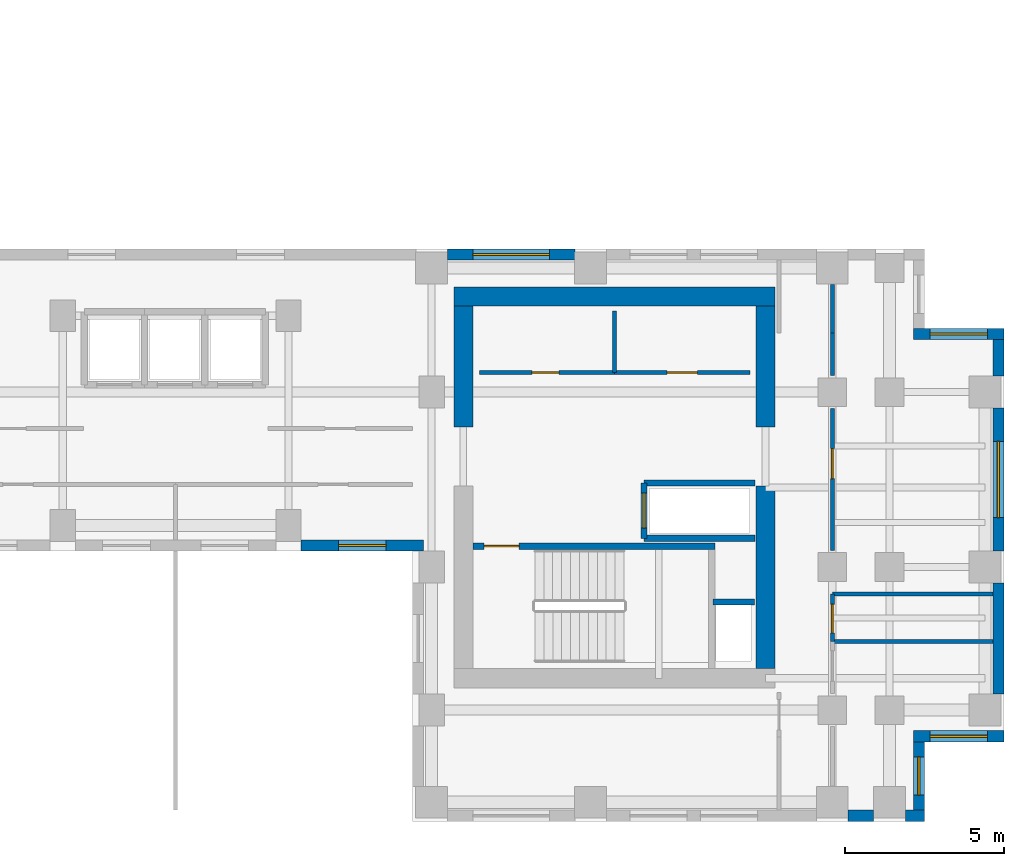
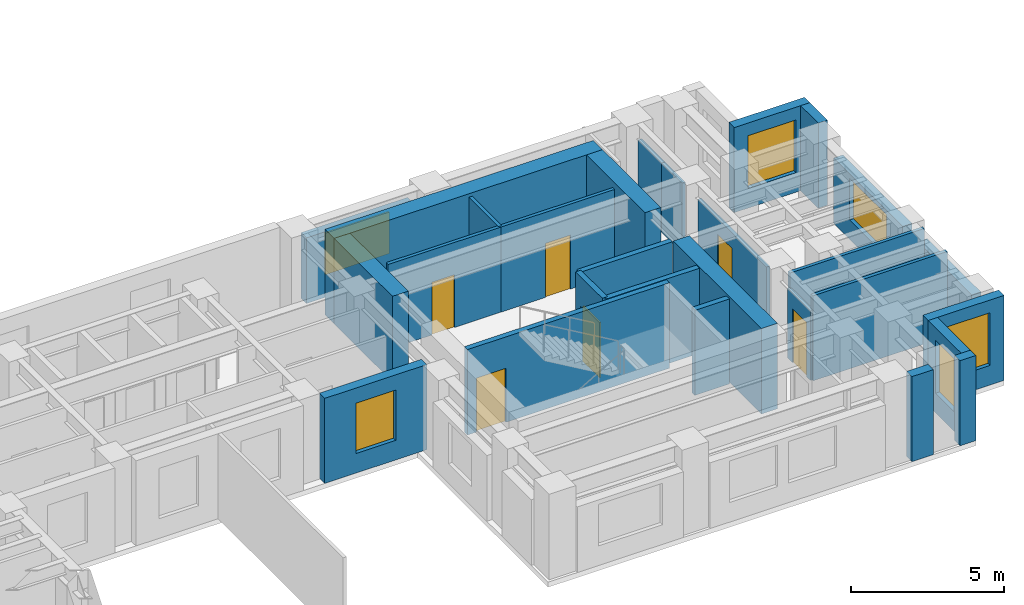
# One storey, part 8 of 11: 28 walls, 6 doors, 6 windows, 12 openings.
"""IFC4 building model written with IfcOpenShell, lengths in metres."""

from ifc_helpers import new_model, si_unit, direction, frame, frame_2d, origin, place, context, subcontext, project, spatial, rectangle, extrude, source, transform, mapped, material, layer, layer_set, type_object, element, fill, save


model = new_model("IFC4")

# Units and contexts
model_context = context("Model", 3, precision=1e-05, world=origin(), true_north=direction((0.0, 1.0)))
body_context = subcontext(model_context, "Body", "Model", "MODEL_VIEW")
ifc_project = project(units=[si_unit("LENGTHUNIT", "METRE"), si_unit("AREAUNIT", "SQUARE_METRE"), si_unit("VOLUMEUNIT", "CUBIC_METRE"), si_unit("PLANEANGLEUNIT", "RADIAN"), si_unit("MASSUNIT", "GRAM", prefix="KILO")], contexts=[model_context])

# Site, building, storey
site_placement = place(None, origin())
site = spatial("IfcSite", under=ifc_project, at=site_placement, CompositionType="ELEMENT")
building_placement = place(site_placement, origin())
building = spatial("IfcBuilding", under=site, at=building_placement, Name="Kharzan Plaza Tower", CompositionType="ELEMENT")
storey_placement = place(building_placement, frame((0.0, 0.0, 182.699951171875)))
storey = spatial("IfcBuildingStorey", under=building, at=storey_placement, Name="L49", CompositionType="ELEMENT", Elevation=182.699951171875)

# Wall, opening, window
ifc_material_1 = material(Name="Concrete C40/50", Category="concrete")
ifc_layer_1 = layer(ifc_material_1, 0.35009765625)
ifc_layer_set_1 = layer_set([ifc_layer_1], Name="Concrete C40/50")
wall_type_1 = type_object("IfcWallType", Name="WL-EXT-MAS-Z3", PredefinedType="SOLIDWALL", material=ifc_layer_set_1)
wall_1_placement = place(storey_placement, frame((30.89794921875, 8.675048828125, 0.0), z_axis=(0.0, 0.0, 1.0), x_axis=(1.0, 0.0, 0.0)))
wall_1 = element("IfcWall", 1, at=wall_1_placement, inside=storey, type_object=wall_type_1, Name="L49 Masonry-Frame Exterior Wall 28", PredefinedType="SOLIDWALL", context=body_context, shape_type="SweptSolid", body=[
    extrude(rectangle(XDim=3.85205078125, YDim=0.35009765625, at=frame_2d((1.926025390625, 0.0))), origin(), (0.0, 0.0, 1.0), 3.385009765625),
])
opening_1_placement = place(wall_1_placement, frame((1.176025390625, 0.0, 0.780029296875)))
opening_1 = element("IfcOpeningElement", 2, at=opening_1_placement, cuts=wall_1, Name="Opening W5", PredefinedType="OPENING", context=body_context, shape_type="SweptSolid", body=[
    extrude(rectangle(XDim=1.5, YDim=2.0, at=frame_2d((0.75, 1.0))), frame((0.0, 0.18505859375, 0.0), z_axis=(0.0, -1.0, 0.0), x_axis=(1.0, 0.0, 0.0)), (0.0, 0.0, 1.0), 0.3701171875),
])
ifc_material_2 = material(Name="Low-E Double Glazing", Category="glass")
window_type_1 = type_object("IfcWindowType", Name="WN-SLT-1500x2000", PartitioningType="SINGLE_PANEL", PredefinedType="WINDOW", material=ifc_material_2)
shared_shape_1 = source(origin(), body_context, "Body", "SweptSolid", [
    extrude(rectangle(XDim=1.5, YDim=2.0, at=frame_2d((0.75, 1.0))), frame((0.0, 0.030029296875, 0.0), z_axis=(0.0, -1.0, 0.0), x_axis=(1.0, 0.0, 0.0)), (0.0, 0.0, 1.0), 0.06005859375),
])
window_1_placement = place(opening_1_placement, origin())
window_1 = element("IfcWindow", 3, at=window_1_placement, inside=storey, type_object=window_type_1, Name="L49 Recessed Solar-Control Window 28-1", OverallHeight=2.0, OverallWidth=1.5, PartitioningType="SINGLE_PANEL", PredefinedType="WINDOW", context=body_context, shape_type="MappedRepresentation", body=[
    mapped(shared_shape_1, transform((0.0, 0.0, 0.0), x_axis=(1.0, 0.0, 0.0), y_axis=(0.0, 1.0, 0.0), z_axis=(0.0, 0.0, 1.0))),
])
fill(opening_1, window_1)

wall_2_placement = place(storey_placement, frame((50.324951171875, 0.347900390625, 0.0), z_axis=(0.0, 0.0, 1.0), x_axis=(0.0, 1.0, 0.0)))
wall_2 = element("IfcWall", 4, at=wall_2_placement, inside=storey, type_object=wall_type_1, Name="L49 Masonry-Frame Exterior Wall 35", PredefinedType="SOLIDWALL", context=body_context, shape_type="SweptSolid", body=[
    extrude(rectangle(XDim=2.154052734375, YDim=0.35009765625, at=frame_2d((1.0771484375, 0.0))), origin(), (0.0, 0.0, 1.0), 3.385009765625),
])
opening_2_placement = place(wall_2_placement, frame((0.47705078125, 0.0, 0.780029296875)))
opening_2 = element("IfcOpeningElement", 5, at=opening_2_placement, cuts=wall_2, Name="Opening W3", PredefinedType="OPENING", context=body_context, shape_type="SweptSolid", body=[
    extrude(rectangle(XDim=1.199951171875, YDim=2.10009765625, at=frame_2d((0.60009765625, 1.050048828125))), frame((0.0, 0.18505859375, 0.0), z_axis=(0.0, -1.0, 0.0), x_axis=(1.0, 0.0, 0.0)), (0.0, 0.0, 1.0), 0.3701171875),
])
window_type_2 = type_object("IfcWindowType", Name="WN-REC-1200x2100", PartitioningType="SINGLE_PANEL", PredefinedType="WINDOW", material=ifc_material_2)
shared_shape_2 = source(origin(), body_context, "Body", "SweptSolid", [
    extrude(rectangle(XDim=1.199951171875, YDim=2.10009765625, at=frame_2d((0.60009765625, 1.050048828125))), frame((0.0, 0.030029296875, 0.0), z_axis=(0.0, -1.0, 0.0), x_axis=(1.0, 0.0, 0.0)), (0.0, 0.0, 1.0), 0.06005859375),
])
window_2_placement = place(opening_2_placement, origin())
window_2 = element("IfcWindow", 6, at=window_2_placement, inside=storey, type_object=window_type_2, Name="L49 Recessed Solar-Control Window 35-1", OverallHeight=2.10009765625, OverallWidth=1.199951171875, PartitioningType="SINGLE_PANEL", PredefinedType="WINDOW", context=body_context, shape_type="MappedRepresentation", body=[
    mapped(shared_shape_2, transform((0.0, 0.0, 0.0), x_axis=(1.0, 0.0, 0.0), y_axis=(0.0, 1.0, 0.0), z_axis=(0.0, 0.0, 1.0))),
])
fill(opening_2, window_2)

wall_3_placement = place(storey_placement, frame((50.14990234375, 2.675048828125, 0.0), z_axis=(0.0, 0.0, 1.0), x_axis=(1.0, 0.0, 0.0)))
wall_3 = element("IfcWall", 7, at=wall_3_placement, inside=storey, type_object=wall_type_1, Name="L49 Masonry-Frame Exterior Wall 36", PredefinedType="SOLIDWALL", context=body_context, shape_type="SweptSolid", body=[
    extrude(rectangle(XDim=2.85009765625, YDim=0.35009765625, at=frame_2d((1.425048828125, 0.0))), origin(), (0.0, 0.0, 1.0), 3.385009765625),
])
opening_3_placement = place(wall_3_placement, frame((0.52490234375, 0.0, 0.780029296875)))
opening_3 = element("IfcOpeningElement", 8, at=opening_3_placement, cuts=wall_3, Name="Opening W1", PredefinedType="OPENING", context=body_context, shape_type="SweptSolid", body=[
    extrude(rectangle(XDim=1.800048828125, YDim=2.10009765625, at=frame_2d((0.89990234375, 1.050048828125))), frame((0.0, 0.18505859375, 0.0), z_axis=(0.0, -1.0, 0.0), x_axis=(1.0, 0.0, 0.0)), (0.0, 0.0, 1.0), 0.3701171875),
])
window_type_3 = type_object("IfcWindowType", Name="WN-REC-1800x2100", PartitioningType="SINGLE_PANEL", PredefinedType="WINDOW", material=ifc_material_2)
shared_shape_3 = source(origin(), body_context, "Body", "SweptSolid", [
    extrude(rectangle(XDim=1.800048828125, YDim=2.10009765625, at=frame_2d((0.89990234375, 1.050048828125))), frame((0.0, 0.030029296875, 0.0), z_axis=(0.0, -1.0, 0.0), x_axis=(1.0, 0.0, 0.0)), (0.0, 0.0, 1.0), 0.06005859375),
])
window_3_placement = place(opening_3_placement, origin())
window_3 = element("IfcWindow", 9, at=window_3_placement, inside=storey, type_object=window_type_3, Name="L49 Recessed Solar-Control Window 36-1", OverallHeight=2.10009765625, OverallWidth=1.800048828125, PartitioningType="SINGLE_PANEL", PredefinedType="WINDOW", context=body_context, shape_type="MappedRepresentation", body=[
    mapped(shared_shape_3, transform((0.0, 0.0, 0.0), x_axis=(1.0, 0.0, 0.0), y_axis=(0.0, 1.0, 0.0), z_axis=(0.0, 0.0, 1.0))),
])
fill(opening_3, window_3)

wall_4_placement = place(storey_placement, frame((52.824951171875, 8.498046875, 0.0), z_axis=(0.0, 0.0, 1.0), x_axis=(0.0, 1.0, 0.0)))
wall_4 = element("IfcWall", 10, at=wall_4_placement, inside=storey, type_object=wall_type_1, Name="L49 Masonry-Frame Exterior Wall 38", PredefinedType="SOLIDWALL", context=body_context, shape_type="SweptSolid", body=[
    extrude(rectangle(XDim=4.50390625, YDim=0.35009765625, at=frame_2d((2.251953125, 0.0))), origin(), (0.0, 0.0, 1.0), 2.612060546875),
])
opening_4_placement = place(wall_4_placement, frame((1.052001953125, 0.0, 0.780029296875)))
opening_4 = element("IfcOpeningElement", 11, at=opening_4_placement, cuts=wall_4, Name="Opening W2", PredefinedType="OPENING", context=body_context, shape_type="SweptSolid", body=[
    extrude(rectangle(XDim=2.39990234375, YDim=1.652099609375, at=frame_2d((1.199951171875, 0.826171875))), frame((0.0, 0.18505859375, 0.0), z_axis=(0.0, -1.0, 0.0), x_axis=(1.0, 0.0, 0.0)), (0.0, 0.0, 1.0), 0.3701171875),
])
window_type_4 = type_object("IfcWindowType", Name="WN-REC-2400x2100", PartitioningType="SINGLE_PANEL", PredefinedType="WINDOW", material=ifc_material_2)
shared_shape_4 = source(origin(), body_context, "Body", "SweptSolid", [
    extrude(rectangle(XDim=2.39990234375, YDim=1.652099609375, at=frame_2d((1.199951171875, 0.826171875))), frame((0.0, 0.030029296875, 0.0), z_axis=(0.0, -1.0, 0.0), x_axis=(1.0, 0.0, 0.0)), (0.0, 0.0, 1.0), 0.06005859375),
])
window_4_placement = place(opening_4_placement, origin())
window_4 = element("IfcWindow", 12, at=window_4_placement, inside=storey, type_object=window_type_4, Name="L49 Wide Recessed Solar-Control Window 38-1", OverallHeight=1.652099609375, OverallWidth=2.39990234375, PartitioningType="SINGLE_PANEL", PredefinedType="WINDOW", context=body_context, shape_type="MappedRepresentation", body=[
    mapped(shared_shape_4, transform((0.0, 0.0, 0.0), x_axis=(1.0, 0.0, 0.0), y_axis=(0.0, 1.0, 0.0), z_axis=(0.0, 0.0, 1.0))),
])
fill(opening_4, window_4)

wall_5_placement = place(storey_placement, frame((53.0, 15.324951171875, 0.0), z_axis=(0.0, 0.0, 1.0), x_axis=(-1.0, 0.0, 0.0)))
wall_5 = element("IfcWall", 13, at=wall_5_placement, inside=storey, type_object=wall_type_1, Name="L49 Masonry-Frame Exterior Wall 40", PredefinedType="SOLIDWALL", context=body_context, shape_type="SweptSolid", body=[
    extrude(rectangle(XDim=2.85009765625, YDim=0.35009765625, at=frame_2d((1.425048828125, 0.0))), origin(), (0.0, 0.0, 1.0), 3.385009765625),
])
opening_5_placement = place(wall_5_placement, frame((0.52490234375, 0.0, 0.780029296875)))
opening_5 = element("IfcOpeningElement", 14, at=opening_5_placement, cuts=wall_5, Name="Opening W1", PredefinedType="OPENING", context=body_context, shape_type="SweptSolid", body=[
    extrude(rectangle(XDim=1.800048828125, YDim=2.10009765625, at=frame_2d((0.89990234375, 1.050048828125))), frame((0.0, 0.18505859375, 0.0), z_axis=(0.0, -1.0, 0.0), x_axis=(1.0, 0.0, 0.0)), (0.0, 0.0, 1.0), 0.3701171875),
])
window_5_placement = place(opening_5_placement, origin())
window_5 = element("IfcWindow", 15, at=window_5_placement, inside=storey, type_object=window_type_3, Name="L49 Recessed Solar-Control Window 40-1", OverallHeight=2.10009765625, OverallWidth=1.800048828125, PartitioningType="SINGLE_PANEL", PredefinedType="WINDOW", context=body_context, shape_type="MappedRepresentation", body=[
    mapped(shared_shape_3, transform((0.0, 0.0, 0.0), x_axis=(1.0, 0.0, 0.0), y_axis=(0.0, 1.0, 0.0), z_axis=(0.0, 0.0, 1.0))),
])
fill(opening_5, window_5)

wall_6_placement = place(storey_placement, frame((39.501953125, 17.824951171875, 0.0), z_axis=(0.0, 0.0, 1.0), x_axis=(-1.0, 0.0, 0.0)))
wall_6 = element("IfcWall", 16, at=wall_6_placement, inside=storey, type_object=wall_type_1, Name="L49 Masonry-Frame Exterior Wall 45", PredefinedType="SOLIDWALL", context=body_context, shape_type="SweptSolid", body=[
    extrude(rectangle(XDim=4.00390625, YDim=0.35009765625, at=frame_2d((2.001953125, 0.0))), origin(), (0.0, 0.0, 1.0), 2.612060546875),
])
opening_6_placement = place(wall_6_placement, frame((0.802001953125, 0.0, 0.780029296875)))
opening_6 = element("IfcOpeningElement", 17, at=opening_6_placement, cuts=wall_6, Name="Opening W2", PredefinedType="OPENING", context=body_context, shape_type="SweptSolid", body=[
    extrude(rectangle(XDim=2.39990234375, YDim=1.652099609375, at=frame_2d((1.199951171875, 0.826171875))), frame((0.0, 0.18505859375, 0.0), z_axis=(0.0, -1.0, 0.0), x_axis=(1.0, 0.0, 0.0)), (0.0, 0.0, 1.0), 0.3701171875),
])
window_6_placement = place(opening_6_placement, origin())
window_6 = element("IfcWindow", 18, at=window_6_placement, inside=storey, type_object=window_type_4, Name="L49 Wide Recessed Solar-Control Window 45-1", OverallHeight=1.652099609375, OverallWidth=2.39990234375, PartitioningType="SINGLE_PANEL", PredefinedType="WINDOW", context=body_context, shape_type="MappedRepresentation", body=[
    mapped(shared_shape_4, transform((0.0, 0.0, 0.0), x_axis=(1.0, 0.0, 0.0), y_axis=(0.0, 1.0, 0.0), z_axis=(0.0, 0.0, 1.0))),
])
fill(opening_6, window_6)

# Wall, opening, door
ifc_material_3 = material(Name="Fire-Rated Gypsum Board Partition", Category="gypsum")
ifc_layer_2 = layer(ifc_material_3, 0.125)
ifc_layer_set_2 = layer_set([ifc_layer_2], Name="Fire-Rated Gypsum Board Partition")
wall_type_2 = type_object("IfcWallType", Name="WL-INT-PART-125", PredefinedType="PARTITIONING", material=ifc_layer_set_2)
wall_7_placement = place(storey_placement, frame((36.5, 14.1201171875, 0.0), z_axis=(0.0, 0.0, 1.0), x_axis=(1.0, 0.0, 0.0)))
wall_7 = element("IfcWall", 19, at=wall_7_placement, inside=storey, type_object=wall_type_2, Name="L49 Interior Partition CB-RBLS1", PredefinedType="PARTITIONING", context=body_context, shape_type="SweptSolid", body=[
    extrude(rectangle(XDim=4.25, YDim=0.125, at=frame_2d((2.125, 0.0))), origin(), (0.0, 0.0, 1.0), 3.385009765625),
])
opening_7_placement = place(wall_7_placement, frame((1.64990234375, 0.0, 0.0)))
opening_7 = element("IfcOpeningElement", 20, at=opening_7_placement, cuts=wall_7, Name="Opening RD1", PredefinedType="OPENING", context=body_context, shape_type="SweptSolid", body=[
    extrude(rectangle(XDim=0.85009765625, YDim=2.10009765625, at=frame_2d((0.425048828125, 1.050048828125))), frame((0.0, 0.072509765625, 0.0), z_axis=(0.0, -1.0, 0.0), x_axis=(1.0, 0.0, 0.0)), (0.0, 0.0, 1.0), 0.14501953125),
])
ifc_material_4 = material(Name="Powder-Coated Fire-Rated Steel", Category="steel")
door_type_1 = type_object("IfcDoorType", Name="DR-RISER-900", OperationType="NOTDEFINED", PredefinedType="DOOR", material=ifc_material_4)
shared_shape_5 = source(origin(), body_context, "Body", "SweptSolid", [
    extrude(rectangle(XDim=0.85009765625, YDim=2.10009765625, at=frame_2d((0.425048828125, 1.050048828125))), frame((0.0, 0.02490234375, 0.0), z_axis=(0.0, -1.0, 0.0), x_axis=(1.0, 0.0, 0.0)), (0.0, 0.0, 1.0), 0.050048828125),
])
door_1_placement = place(opening_7_placement, origin())
door_1 = element("IfcDoor", 21, at=door_1_placement, inside=storey, type_object=door_type_1, Name="L49 Archive Room Door", OperationType="SINGLE_SWING_RIGHT", OverallHeight=2.10009765625, OverallWidth=0.85009765625, PredefinedType="DOOR", context=body_context, shape_type="MappedRepresentation", body=[
    mapped(shared_shape_5, transform((0.0, 0.0, 0.0), x_axis=(1.0, 0.0, 0.0), y_axis=(0.0, 1.0, 0.0), z_axis=(0.0, 0.0, 1.0))),
])
fill(opening_7, door_1)

wall_8_placement = place(storey_placement, frame((40.75, 14.1201171875, 0.0), z_axis=(0.0, 0.0, 1.0), x_axis=(1.0, 0.0, 0.0)))
wall_8 = element("IfcWall", 22, at=wall_8_placement, inside=storey, type_object=wall_type_2, Name="L49 Interior Partition CB-RBLS2", PredefinedType="PARTITIONING", context=body_context, shape_type="SweptSolid", body=[
    extrude(rectangle(XDim=4.27001953125, YDim=0.125, at=frame_2d((2.135009765625, 0.0))), origin(), (0.0, 0.0, 1.0), 3.385009765625),
])
opening_8_placement = place(wall_8_placement, frame((1.659912109375, 0.0, 0.0)))
opening_8 = element("IfcOpeningElement", 23, at=opening_8_placement, cuts=wall_8, Name="Opening OD1", PredefinedType="OPENING", context=body_context, shape_type="SweptSolid", body=[
    extrude(rectangle(XDim=0.949951171875, YDim=2.14990234375, at=frame_2d((0.47509765625, 1.074951171875))), frame((0.0, 0.072509765625, 0.0), z_axis=(0.0, -1.0, 0.0), x_axis=(1.0, 0.0, 0.0)), (0.0, 0.0, 1.0), 0.14501953125),
])
ifc_material_5 = material(Name="Acoustic Solid-Core Stained Oak", Category="timber")
door_type_2 = type_object("IfcDoorType", Name="DR-OFF-SINGLE", OperationType="NOTDEFINED", PredefinedType="DOOR", material=ifc_material_5)
shared_shape_6 = source(origin(), body_context, "Body", "SweptSolid", [
    extrude(rectangle(XDim=0.949951171875, YDim=2.14990234375, at=frame_2d((0.47509765625, 1.074951171875))), frame((0.0, 0.02490234375, 0.0), z_axis=(0.0, -1.0, 0.0), x_axis=(1.0, 0.0, 0.0)), (0.0, 0.0, 1.0), 0.050048828125),
])
door_2_placement = place(opening_8_placement, origin())
door_2 = element("IfcDoor", 24, at=door_2_placement, inside=storey, type_object=door_type_2, Name="L49 Print Room Door", OperationType="SINGLE_SWING_LEFT", OverallHeight=2.14990234375, OverallWidth=0.949951171875, PredefinedType="DOOR", context=body_context, shape_type="MappedRepresentation", body=[
    mapped(shared_shape_6, transform((0.0, 0.0, 0.0), x_axis=(1.0, 0.0, 0.0), y_axis=(0.0, 1.0, 0.0), z_axis=(0.0, 0.0, 1.0))),
])
fill(opening_8, door_2)

wall_9_placement = place(storey_placement, frame((47.60009765625, 8.52001953125, 0.0), z_axis=(0.0, 0.0, 1.0), x_axis=(0.0, 1.0, 0.0)))
wall_9 = element("IfcWall", 25, at=wall_9_placement, inside=storey, type_object=wall_type_2, Name="L49 Interior Partition SH-B0W1-S1", PredefinedType="PARTITIONING", context=body_context, shape_type="SweptSolid", body=[
    extrude(rectangle(XDim=4.4599609375, YDim=0.125, at=frame_2d((2.22998046875, 0.0))), origin(), (0.0, 0.0, 1.0), 2.77294921875),
])
opening_9_placement = place(wall_9_placement, frame((2.2548828125, 0.0, 0.0)))
opening_9 = element("IfcOpeningElement", 26, at=opening_9_placement, cuts=wall_9, Name="Opening OD1", PredefinedType="OPENING", context=body_context, shape_type="SweptSolid", body=[
    extrude(rectangle(XDim=0.949951171875, YDim=2.14990234375, at=frame_2d((0.47509765625, 1.074951171875))), frame((0.0, 0.072509765625, 0.0), z_axis=(0.0, -1.0, 0.0), x_axis=(1.0, 0.0, 0.0)), (0.0, 0.0, 1.0), 0.14501953125),
])
door_3_placement = place(opening_9_placement, origin())
door_3 = element("IfcDoor", 27, at=door_3_placement, inside=storey, type_object=door_type_2, Name="L49 Open Engineering Workspace Door", OperationType="SINGLE_SWING_RIGHT", OverallHeight=2.14990234375, OverallWidth=0.949951171875, PredefinedType="DOOR", context=body_context, shape_type="MappedRepresentation", body=[
    mapped(shared_shape_6, transform((0.0, 0.0, 0.0), x_axis=(1.0, 0.0, 0.0), y_axis=(0.0, 1.0, 0.0), z_axis=(0.0, 0.0, 1.0))),
])
fill(opening_9, door_3)

wall_10_placement = place(storey_placement, frame((47.60009765625, 5.64990234375, 0.0), z_axis=(0.0, 0.0, 1.0), x_axis=(0.0, 1.0, 0.0)))
wall_10 = element("IfcWall", 28, at=wall_10_placement, inside=storey, type_object=wall_type_2, Name="L49 Interior Partition SH-B0WC", PredefinedType="PARTITIONING", context=body_context, shape_type="SweptSolid", body=[
    extrude(rectangle(XDim=1.5, YDim=0.125, at=frame_2d((0.75, 0.0))), origin(), (0.0, 0.0, 1.0), 2.77294921875),
])
opening_10_placement = place(wall_10_placement, frame((0.27490234375, 0.0, 0.0)))
opening_10 = element("IfcOpeningElement", 29, at=opening_10_placement, cuts=wall_10, Name="Opening WD1", PredefinedType="OPENING", context=body_context, shape_type="SweptSolid", body=[
    extrude(rectangle(XDim=0.89990234375, YDim=2.14990234375, at=frame_2d((0.449951171875, 1.074951171875))), frame((0.0, 0.072509765625, 0.0), z_axis=(0.0, -1.0, 0.0), x_axis=(1.0, 0.0, 0.0)), (0.0, 0.0, 1.0), 0.14501953125),
])
ifc_material_6 = material(Name="Moisture-Resistant Fire-Rated Laminate", Category="timber")
door_type_3 = type_object("IfcDoorType", Name="DR-WC-900", OperationType="NOTDEFINED", PredefinedType="DOOR", material=ifc_material_6)
shared_shape_7 = source(origin(), body_context, "Body", "SweptSolid", [
    extrude(rectangle(XDim=0.89990234375, YDim=2.14990234375, at=frame_2d((0.449951171875, 1.074951171875))), frame((0.0, 0.02490234375, 0.0), z_axis=(0.0, -1.0, 0.0), x_axis=(1.0, 0.0, 0.0)), (0.0, 0.0, 1.0), 0.050048828125),
])
door_4_placement = place(opening_10_placement, origin())
door_4 = element("IfcDoor", 30, at=door_4_placement, inside=storey, type_object=door_type_3, Name="L49 Wing B Washroom Door", OperationType="SINGLE_SWING_LEFT", OverallHeight=2.14990234375, OverallWidth=0.89990234375, PredefinedType="DOOR", context=body_context, shape_type="MappedRepresentation", body=[
    mapped(shared_shape_7, transform((0.0, 0.0, 0.0), x_axis=(1.0, 0.0, 0.0), y_axis=(0.0, 1.0, 0.0), z_axis=(0.0, 0.0, 1.0))),
])
fill(opening_10, door_4)

ifc_layer_3 = layer(ifc_material_1, 0.199951171875)
ifc_layer_set_3 = layer_set([ifc_layer_3], Name="Concrete C40/50")
wall_type_3 = type_object("IfcWallType", Name="WL-INT-SHAFT-200", PredefinedType="PARTITIONING", material=ifc_layer_set_3)
wall_11_placement = place(storey_placement, frame((41.679931640625, 8.89990234375, 0.0), z_axis=(0.0, 0.0, 1.0), x_axis=(0.0, 1.0, 0.0)))
wall_11 = element("IfcWall", 31, at=wall_11_placement, inside=storey, type_object=wall_type_3, Name="L49 Interior Partition SHF-SVL-2-W", PredefinedType="PARTITIONING", context=body_context, shape_type="SweptSolid", body=[
    extrude(rectangle(XDim=1.739990234375, YDim=0.199951171875, at=frame_2d((0.8701171875, 0.0))), origin(), (0.0, 0.0, 1.0), 3.385009765625),
])
opening_11_placement = place(wall_11_placement, frame((0.320068359375, 0.0, 0.0)))
opening_11 = element("IfcOpeningElement", 32, at=opening_11_placement, cuts=wall_11, Name="Opening LD", PredefinedType="OPENING", context=body_context, shape_type="SweptSolid", body=[
    extrude(rectangle(XDim=1.10009765625, YDim=2.199951171875, at=frame_2d((0.550048828125, 1.10009765625))), frame((0.0, 0.10986328125, 0.0), z_axis=(0.0, -1.0, 0.0), x_axis=(1.0, 0.0, 0.0)), (0.0, 0.0, 1.0), 0.219970703125),
])
ifc_material_7 = material(Name="Brushed Stainless Steel", Category="steel")
door_type_4 = type_object("IfcDoorType", Name="DR-LIFT-SLIDE", OperationType="SLIDING_TO_LEFT", PredefinedType="DOOR", material=ifc_material_7)
shared_shape_8 = source(origin(), body_context, "Body", "SweptSolid", [
    extrude(rectangle(XDim=1.10009765625, YDim=2.199951171875, at=frame_2d((0.550048828125, 1.10009765625))), frame((0.0, 0.02490234375, 0.0), z_axis=(0.0, -1.0, 0.0), x_axis=(1.0, 0.0, 0.0)), (0.0, 0.0, 1.0), 0.050048828125),
])
door_5_placement = place(opening_11_placement, origin())
door_5 = element("IfcDoor", 33, at=door_5_placement, inside=storey, type_object=door_type_4, Name="L49 Service Lift SVL-2 Sliding Landing Door", OperationType="SLIDING_TO_LEFT", OverallHeight=2.199951171875, OverallWidth=1.10009765625, PredefinedType="DOOR", context=body_context, shape_type="MappedRepresentation", body=[
    mapped(shared_shape_8, transform((0.0, 0.0, 0.0), x_axis=(1.0, 0.0, 0.0), y_axis=(0.0, 1.0, 0.0), z_axis=(0.0, 0.0, 1.0))),
])
fill(opening_11, door_5)

ifc_material_8 = material(Name="Concrete C50/60", Category="concrete")
ifc_layer_4 = layer(ifc_material_8, 0.199951171875)
ifc_layer_set_4 = layer_set([ifc_layer_4], Name="Concrete C50/60")
wall_type_4 = type_object("IfcWallType", Name="WL-SHAFT-RC200", PredefinedType="SHEAR", material=ifc_layer_set_4)
wall_12_placement = place(storey_placement, frame((36.302001953125, 8.655029296875, 0.0), z_axis=(0.0, 0.0, 1.0), x_axis=(1.0, 0.0, 0.0)))
wall_12 = element("IfcWall", 34, at=wall_12_placement, inside=storey, type_object=wall_type_4, Name="L49 Stair ST-3 North RC Shaft Wall", PredefinedType="SHEAR", context=body_context, shape_type="SweptSolid", body=[
    extrude(rectangle(XDim=7.60302734375, YDim=0.199951171875, at=frame_2d((3.801513671875, 0.0))), origin(), (0.0, 0.0, 1.0), 3.400146484375),
])
opening_12_placement = place(wall_12_placement, frame((0.35009765625, 0.0, 0.0)))
opening_12 = element("IfcOpeningElement", 35, at=opening_12_placement, cuts=wall_12, Name="Opening SD1", PredefinedType="OPENING", context=body_context, shape_type="SweptSolid", body=[
    extrude(rectangle(XDim=1.10009765625, YDim=2.14990234375, at=frame_2d((0.550048828125, 1.074951171875))), frame((0.0, 0.10986328125, 0.0), z_axis=(0.0, -1.0, 0.0), x_axis=(1.0, 0.0, 0.0)), (0.0, 0.0, 1.0), 0.219970703125),
])
ifc_material_9 = material(Name="Fire-Rated Hollow Galvanized Steel", Category="steel")
door_type_5 = type_object("IfcDoorType", Name="DR-STAIR-FD120", OperationType="NOTDEFINED", PredefinedType="DOOR", material=ifc_material_9)
shared_shape_9 = source(origin(), body_context, "Body", "SweptSolid", [
    extrude(rectangle(XDim=1.10009765625, YDim=2.14990234375, at=frame_2d((0.550048828125, 1.074951171875))), frame((0.0, 0.02490234375, 0.0), z_axis=(0.0, -1.0, 0.0), x_axis=(1.0, 0.0, 0.0)), (0.0, 0.0, 1.0), 0.050048828125),
])
door_6_placement = place(opening_12_placement, origin())
door_6 = element("IfcDoor", 36, at=door_6_placement, inside=storey, type_object=door_type_5, Name="L49 Stair ST-3 Fire Exit Door", OperationType="SINGLE_SWING_LEFT", OverallHeight=2.14990234375, OverallWidth=1.10009765625, PredefinedType="DOOR", context=body_context, shape_type="MappedRepresentation", body=[
    mapped(shared_shape_9, transform((0.0, 0.0, 0.0), x_axis=(1.0, 0.0, 0.0), y_axis=(0.0, 1.0, 0.0), z_axis=(0.0, 0.0, 1.0))),
])
fill(opening_12, door_6)

# Walls
shared_shape_10 = source(origin(), body_context, "Body", "SweptSolid", [
    extrude(rectangle(XDim=0.80419921875, YDim=0.35009765625, at=frame_2d((0.402099609375, 0.0))), origin(), (0.0, 0.0, 1.0), 3.385009765625),
])
wall_13_placement = place(storey_placement, frame((48.097900390625, 0.175048828125, 0.0), z_axis=(0.0, 0.0, 1.0), x_axis=(1.0, 0.0, 0.0)))
element("IfcWall", 37, at=wall_13_placement, inside=storey, type_object=wall_type_1, Name="L49 Masonry-Frame Exterior Wall 33", PredefinedType="SOLIDWALL", context=body_context, shape_type="MappedRepresentation", body=[
    mapped(shared_shape_10, transform((0.0, 0.0, 0.0), x_axis=(1.0, 0.0, 0.0), y_axis=(0.0, 1.0, 0.0), z_axis=(0.0, 0.0, 1.0))),
])
shared_shape_11 = source(origin(), body_context, "Body", "SweptSolid", [
    extrude(rectangle(XDim=0.60205078125, YDim=0.35009765625, at=frame_2d((0.301025390625, 0.0))), origin(), (0.0, 0.0, 1.0), 3.385009765625),
])
wall_14_placement = place(storey_placement, frame((49.89794921875, 0.175048828125, 0.0), z_axis=(0.0, 0.0, 1.0), x_axis=(1.0, 0.0, 0.0)))
element("IfcWall", 38, at=wall_14_placement, inside=storey, type_object=wall_type_1, Name="L49 Masonry-Frame Exterior Wall 34", PredefinedType="SOLIDWALL", context=body_context, shape_type="MappedRepresentation", body=[
    mapped(shared_shape_11, transform((0.0, 0.0, 0.0), x_axis=(1.0, 0.0, 0.0), y_axis=(0.0, 1.0, 0.0), z_axis=(0.0, 0.0, 1.0))),
])
shared_shape_12 = source(origin(), body_context, "Body", "SweptSolid", [
    extrude(rectangle(XDim=1.154052734375, YDim=0.35009765625, at=frame_2d((0.5771484375, 0.0))), origin(), (0.0, 0.0, 1.0), 3.385009765625),
])
wall_15_placement = place(storey_placement, frame((52.824951171875, 13.998046875, 0.0), z_axis=(0.0, 0.0, 1.0), x_axis=(0.0, 1.0, 0.0)))
element("IfcWall", 39, at=wall_15_placement, inside=storey, type_object=wall_type_1, Name="L49 Masonry-Frame Exterior Wall 39", PredefinedType="SOLIDWALL", context=body_context, shape_type="MappedRepresentation", body=[
    mapped(shared_shape_12, transform((0.0, 0.0, 0.0), x_axis=(1.0, 0.0, 0.0), y_axis=(0.0, 1.0, 0.0), z_axis=(0.0, 0.0, 1.0))),
])
shared_shape_13 = source(origin(), body_context, "Body", "SweptSolid", [
    extrude(rectangle(XDim=1.929931640625, YDim=0.125, at=frame_2d((0.96484375, 0.0))), origin(), (0.0, 0.0, 1.0), 3.385009765625),
])
wall_16_placement = place(storey_placement, frame((40.75, 14.1201171875, 0.0), z_axis=(0.0, 0.0, 1.0), x_axis=(0.0, 1.0, 0.0)))
element("IfcWall", 40, at=wall_16_placement, inside=storey, type_object=wall_type_2, Name="L49 Interior Partition CB-RBLM1", PredefinedType="PARTITIONING", context=body_context, shape_type="MappedRepresentation", body=[
    mapped(shared_shape_13, transform((0.0, 0.0, 0.0), x_axis=(1.0, 0.0, 0.0), y_axis=(0.0, 1.0, 0.0), z_axis=(0.0, 0.0, 1.0))),
])
shared_shape_14 = source(origin(), body_context, "Body", "SweptSolid", [
    extrude(rectangle(XDim=5.0478515625, YDim=0.125, at=frame_2d((2.52392578125, 0.0))), origin(), (0.0, 0.0, 1.0), 3.385009765625),
])
for number, where, z_axis, x_axis, name in (
    (41, (47.60009765625, 5.64990234375, 0.0), (0.0, 0.0, 1.0), (1.0, 0.0, 0.0), "L49 Interior Partition SH-B0H1"),
    (42, (47.60009765625, 7.14990234375, 0.0), (0.0, 0.0, 1.0), (1.0, 0.0, 0.0), "L49 Interior Partition SH-B0H2"),
):
    element("IfcWall", number, at=place(storey_placement, frame(where, z_axis=z_axis, x_axis=x_axis)), inside=storey, type_object=wall_type_2, Name=name, PredefinedType="PARTITIONING", context=body_context, shape_type="MappedRepresentation", body=[
        mapped(shared_shape_14, transform((0.0, 0.0, 0.0), x_axis=(1.0, 0.0, 0.0), y_axis=(0.0, 1.0, 0.0), z_axis=(0.0, 0.0, 1.0))),
    ])
shared_shape_15 = source(origin(), body_context, "Body", "SweptSolid", [
    extrude(rectangle(XDim=1.52978515625, YDim=0.125, at=frame_2d((0.764892578125, 0.0))), origin(), (0.0, 0.0, 1.0), 2.77294921875),
])
wall_17_placement = place(storey_placement, frame((47.60009765625, 15.35009765625, 0.0), z_axis=(0.0, 0.0, 1.0), x_axis=(0.0, 1.0, 0.0)))
element("IfcWall", 43, at=wall_17_placement, inside=storey, type_object=wall_type_2, Name="L49 Interior Partition SH-B0W1N", PredefinedType="PARTITIONING", context=body_context, shape_type="MappedRepresentation", body=[
    mapped(shared_shape_15, transform((0.0, 0.0, 0.0), x_axis=(1.0, 0.0, 0.0), y_axis=(0.0, 1.0, 0.0), z_axis=(0.0, 0.0, 1.0))),
])
shared_shape_16 = source(origin(), body_context, "Body", "SweptSolid", [
    extrude(rectangle(XDim=1.2998046875, YDim=0.199951171875, at=frame_2d((0.64990234375, 0.0))), origin(), (0.0, 0.0, 1.0), 3.385009765625),
])
wall_18_placement = place(storey_placement, frame((43.85009765625, 6.89990234375, 0.0), z_axis=(0.0, 0.0, 1.0), x_axis=(1.0, 0.0, 0.0)))
element("IfcWall", 44, at=wall_18_placement, inside=storey, type_object=wall_type_3, Name="L49 Interior Partition CB-RSRB-N", PredefinedType="PARTITIONING", context=body_context, shape_type="MappedRepresentation", body=[
    mapped(shared_shape_16, transform((0.0, 0.0, 0.0), x_axis=(1.0, 0.0, 0.0), y_axis=(0.0, 1.0, 0.0), z_axis=(0.0, 0.0, 1.0))),
])
shared_shape_17 = source(origin(), body_context, "Body", "SweptSolid", [
    extrude(rectangle(XDim=3.489990234375, YDim=0.199951171875, at=frame_2d((1.7451171875, 0.0))), origin(), (0.0, 0.0, 1.0), 3.385009765625),
])
for number, where, z_axis, x_axis, name in (
    (45, (41.679931640625, 10.639892578125, 0.0), (0.0, 0.0, 1.0), (1.0, 0.0, 0.0), "L49 Interior Partition SHF-SVL-2-N"),
    (46, (41.679931640625, 8.89990234375, 0.0), (0.0, 0.0, 1.0), (1.0, 0.0, 0.0), "L49 Interior Partition SHF-SVL-2-S"),
):
    element("IfcWall", number, at=place(storey_placement, frame(where, z_axis=z_axis, x_axis=x_axis)), inside=storey, type_object=wall_type_3, Name=name, PredefinedType="PARTITIONING", context=body_context, shape_type="MappedRepresentation", body=[
        mapped(shared_shape_17, transform((0.0, 0.0, 0.0), x_axis=(1.0, 0.0, 0.0), y_axis=(0.0, 1.0, 0.0), z_axis=(0.0, 0.0, 1.0))),
    ])
ifc_layer_5 = layer(ifc_material_8, 0.60009765625)
ifc_layer_set_5 = layer_set([ifc_layer_5], Name="Concrete C50/60")
wall_type_5 = type_object("IfcWallType", Name="WL-CORE-600", PredefinedType="SHEAR", material=ifc_layer_set_5)
shared_shape_18 = source(origin(), body_context, "Body", "SweptSolid", [
    extrude(rectangle(XDim=5.75, YDim=0.60009765625, at=frame_2d((2.875, 0.0))), origin(), (0.0, 0.0, 1.0), 3.400146484375),
])
wall_19_placement = place(storey_placement, frame((45.5, 4.800048828125, 0.0), z_axis=(0.0, 0.0, 1.0), x_axis=(0.0, 1.0, 0.0)))
element("IfcWall", 47, at=wall_19_placement, inside=storey, type_object=wall_type_5, Name="L49 CORE-B east shear pier 1", PredefinedType="SHEAR", context=body_context, shape_type="MappedRepresentation", body=[
    mapped(shared_shape_18, transform((0.0, 0.0, 0.0), x_axis=(1.0, 0.0, 0.0), y_axis=(0.0, 1.0, 0.0), z_axis=(0.0, 0.0, 1.0))),
])
shared_shape_19 = source(origin(), body_context, "Body", "SweptSolid", [
    extrude(rectangle(XDim=3.800048828125, YDim=0.60009765625, at=frame_2d((1.89990234375, 0.0))), origin(), (0.0, 0.0, 1.0), 3.400146484375),
])
for number, where, z_axis, x_axis, name in (
    (48, (45.5, 12.39990234375, 0.0), (0.0, 0.0, 1.0), (0.0, 1.0, 0.0), "L49 CORE-B east shear pier 2"),
    (49, (36.0, 12.39990234375, 0.0), (0.0, 0.0, 1.0), (0.0, 1.0, 0.0), "L49 CORE-B west shear pier 2"),
):
    element("IfcWall", number, at=place(storey_placement, frame(where, z_axis=z_axis, x_axis=x_axis)), inside=storey, type_object=wall_type_5, Name=name, PredefinedType="SHEAR", context=body_context, shape_type="MappedRepresentation", body=[
        mapped(shared_shape_19, transform((0.0, 0.0, 0.0), x_axis=(1.0, 0.0, 0.0), y_axis=(0.0, 1.0, 0.0), z_axis=(0.0, 0.0, 1.0))),
    ])
shared_shape_20 = source(origin(), body_context, "Body", "SweptSolid", [
    extrude(rectangle(XDim=10.10009765625, YDim=0.60009765625, at=frame_2d((5.050048828125, 0.0))), origin(), (0.0, 0.0, 1.0), 3.400146484375),
])
wall_20_placement = place(storey_placement, frame((35.699951171875, 16.5, 0.0), z_axis=(0.0, 0.0, 1.0), x_axis=(1.0, 0.0, 0.0)))
element("IfcWall", 50, at=wall_20_placement, inside=storey, type_object=wall_type_5, Name="L49 CORE-B north RC shear wall", PredefinedType="SHEAR", context=body_context, shape_type="MappedRepresentation", body=[
    mapped(shared_shape_20, transform((0.0, 0.0, 0.0), x_axis=(1.0, 0.0, 0.0), y_axis=(0.0, 1.0, 0.0), z_axis=(0.0, 0.0, 1.0))),
])
shared_shape_21 = source(origin(), body_context, "Body", "SweptSolid", [
    extrude(rectangle(XDim=3.50390625, YDim=0.35009765625, at=frame_2d((1.751953125, 0.0))), origin(), (0.0, 0.0, 1.0), 2.612060546875),
])
wall_21_placement = place(storey_placement, frame((52.824951171875, 3.998046875, 0.0), z_axis=(0.0, 0.0, 1.0), x_axis=(0.0, 1.0, 0.0)))
element("IfcWall", 51, at=wall_21_placement, inside=storey, type_object=wall_type_1, Name="L49 Masonry-Frame Exterior Wall 37", PredefinedType="SOLIDWALL", context=body_context, shape_type="MappedRepresentation", body=[
    mapped(shared_shape_21, transform((0.0, 0.0, 0.0), x_axis=(1.0, 0.0, 0.0), y_axis=(0.0, 1.0, 0.0), z_axis=(0.0, 0.0, 1.0))),
])
shared_shape_22 = source(origin(), body_context, "Body", "SweptSolid", [
    extrude(rectangle(XDim=1.330078125, YDim=0.125, at=frame_2d((0.6650390625, 0.0))), origin(), (0.0, 0.0, 1.0), 2.77294921875),
])
wall_22_placement = place(storey_placement, frame((47.60009765625, 14.02001953125, 0.0), z_axis=(0.0, 0.0, 1.0), x_axis=(0.0, 1.0, 0.0)))
element("IfcWall", 52, at=wall_22_placement, inside=storey, type_object=wall_type_2, Name="L49 Interior Partition SH-B0W1-S2", PredefinedType="PARTITIONING", context=body_context, shape_type="MappedRepresentation", body=[
    mapped(shared_shape_22, transform((0.0, 0.0, 0.0), x_axis=(1.0, 0.0, 0.0), y_axis=(0.0, 1.0, 0.0), z_axis=(0.0, 0.0, 1.0))),
])

save(model, "model.ifc")
